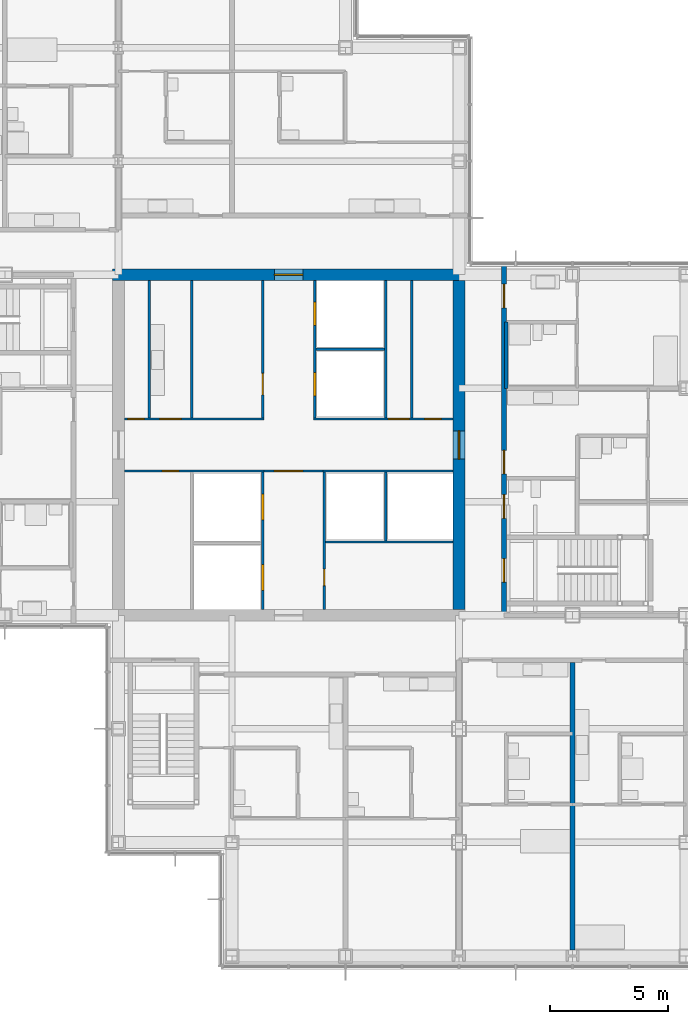
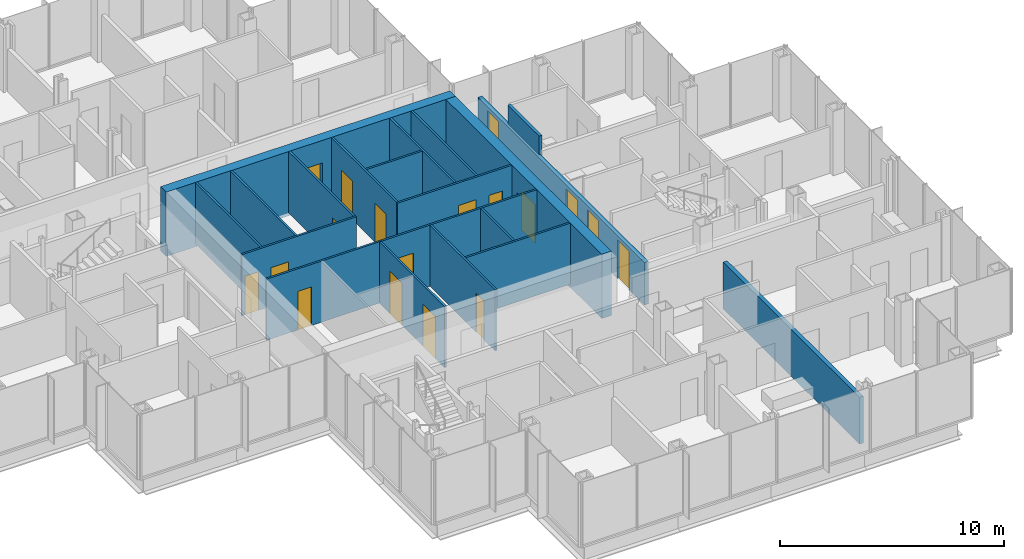
# One storey, part 14 of 19: 21 walls, 18 doors, 18 openings.
"""IFC4 building model written with IfcOpenShell, lengths in metres."""

from ifc_helpers import new_model, si_unit, direction, frame, frame_2d, origin, place, context, subcontext, project, spatial, rectangle, extrude, material, layer, layer_set, type_object, element, fill, save


model = new_model("IFC4")

# Units and contexts
model_context = context("Model", 3, precision=1e-05, world=origin(), true_north=direction((0.0, 1.0)))
body_context = subcontext(model_context, "Body", "Model", "MODEL_VIEW")
ifc_project = project(units=[si_unit("LENGTHUNIT", "METRE"), si_unit("AREAUNIT", "SQUARE_METRE"), si_unit("VOLUMEUNIT", "CUBIC_METRE"), si_unit("PLANEANGLEUNIT", "RADIAN"), si_unit("MASSUNIT", "GRAM", prefix="KILO")], contexts=[model_context])

# Site, building, storey
site_placement = place(None, origin())
site = spatial("IfcSite", under=ifc_project, at=site_placement, CompositionType="ELEMENT")
building_placement = place(site_placement, origin())
building = spatial("IfcBuilding", under=site, at=building_placement, Name="Kvirike Care Tower", CompositionType="ELEMENT")
storey_placement = place(building_placement, frame((0.0, 0.0, 108.5)))
storey = spatial("IfcBuildingStorey", under=building, at=storey_placement, Name="L29", CompositionType="ELEMENT", Elevation=108.5)

# Wall
ifc_material_1 = material(Name="Moisture-resistant board partition", Category="gypsum")
ifc_layer_1 = layer(ifc_material_1, 0.14990234375)
ifc_layer_set_1 = layer_set([ifc_layer_1], Name="BATHROOM WALL 150")
wall_type_1 = type_object("IfcWallType", Name="BATHROOM WALL 150", PredefinedType="PARTITIONING", material=ifc_layer_set_1)
wall_1_placement = place(storey_placement, frame((30.800048828125, 38.39990234375, 0.0), z_axis=(0.0, 0.0, 1.0), x_axis=(0.0, 1.0, 0.0)))
element("IfcWall", 1, at=wall_1_placement, inside=storey, type_object=wall_type_1, Name="Bathroom Wall 150 L29", PredefinedType="PARTITIONING", context=body_context, shape_type="SweptSolid", body=[
    extrude(rectangle(XDim=2.800048828125, YDim=0.14990234375, at=frame_2d((1.39990234375, 0.0))), origin(), (0.0, 0.0, 1.0), 3.330078125),
])

# Wall, opening, door
ifc_material_2 = material(Name="Concrete C50/60", Category="concrete")
ifc_layer_2 = layer(ifc_material_2, 0.5)
ifc_layer_set_2 = layer_set([ifc_layer_2], Name="CORE WALL 500 C50-60")
wall_type_2 = type_object("IfcWallType", Name="CORE WALL 500 C50-60", PredefinedType="SHEAR", material=ifc_layer_set_2)
wall_2_placement = place(storey_placement, frame((29.050048828125, 43.199951171875, -0.169921875), z_axis=(0.0, 0.0, 1.0), x_axis=(-1.0, 0.0, 0.0)))
wall_2 = element("IfcWall", 2, at=wall_2_placement, inside=storey, type_object=wall_type_2, Name="Core wall N L29", PredefinedType="SHEAR", context=body_context, shape_type="SweptSolid", body=[
    extrude(rectangle(XDim=14.900146484375, YDim=0.5, at=frame_2d((7.4501953125, 0.0))), origin(), (0.0, 0.0, 1.0), 3.5),
])
opening_1_placement = place(wall_2_placement, frame((6.85009765625, 0.0, 0.169921875)))
opening_1 = element("IfcOpeningElement", 3, at=opening_1_placement, cuts=wall_2, Name="Opening 29-065", PredefinedType="OPENING", context=body_context, shape_type="SweptSolid", body=[
    extrude(rectangle(XDim=1.199951171875, YDim=2.10009765625, at=frame_2d((0.60009765625, 1.050048828125))), frame((0.0, 0.260498046875, 0.0), z_axis=(0.0, -1.0, 0.0), x_axis=(1.0, 0.0, 0.0)), (0.0, 0.0, 1.0), 0.52099609375),
])
ifc_material_3 = material(Name="Timber door set", Category="wood")
door_type_1 = type_object("IfcDoorType", Name="CORE DOOR 1200", OperationType="SINGLE_SWING_LEFT", PredefinedType="DOOR", material=ifc_material_3)
door_1_placement = place(opening_1_placement, origin())
door_1 = element("IfcDoor", 4, at=door_1_placement, inside=storey, type_object=door_type_1, Name="Core door N L29", OperationType="SINGLE_SWING_LEFT", OverallHeight=2.10009765625, OverallWidth=1.199951171875, PredefinedType="DOOR", context=body_context, shape_type="SweptSolid", body=[
    extrude(rectangle(XDim=1.199951171875, YDim=2.10009765625, at=frame_2d((0.60009765625, 1.050048828125))), frame((0.0, 0.02685546875, 0.0), z_axis=(0.0, -1.0, 0.0), x_axis=(1.0, 0.0, 0.0)), (0.0, 0.0, 1.0), 0.053955078125),
])
fill(opening_1, door_1)

wall_3_placement = place(storey_placement, frame((28.800048828125, 29.050048828125, -0.169921875), z_axis=(0.0, 0.0, 1.0), x_axis=(0.0, 1.0, 0.0)))
wall_3 = element("IfcWall", 5, at=wall_3_placement, inside=storey, type_object=wall_type_2, Name="Core wall E L29", PredefinedType="SHEAR", context=body_context, shape_type="SweptSolid", body=[
    extrude(rectangle(XDim=13.89990234375, YDim=0.5, at=frame_2d((6.949951171875, 0.0))), origin(), (0.0, 0.0, 1.0), 3.5),
])
opening_2_placement = place(wall_3_placement, frame((6.35009765625, 0.0, 0.169921875)))
opening_2 = element("IfcOpeningElement", 6, at=opening_2_placement, cuts=wall_3, Name="Opening 29-064", PredefinedType="OPENING", context=body_context, shape_type="SweptSolid", body=[
    extrude(rectangle(XDim=1.199951171875, YDim=2.10009765625, at=frame_2d((0.60009765625, 1.050048828125))), frame((0.0, 0.260498046875, 0.0), z_axis=(0.0, -1.0, 0.0), x_axis=(1.0, 0.0, 0.0)), (0.0, 0.0, 1.0), 0.52099609375),
])
door_2_placement = place(opening_2_placement, origin())
door_2 = element("IfcDoor", 7, at=door_2_placement, inside=storey, type_object=door_type_1, Name="Core door E L29", OperationType="SINGLE_SWING_LEFT", OverallHeight=2.10009765625, OverallWidth=1.199951171875, PredefinedType="DOOR", context=body_context, shape_type="SweptSolid", body=[
    extrude(rectangle(XDim=1.199951171875, YDim=2.10009765625, at=frame_2d((0.60009765625, 1.050048828125))), frame((0.0, 0.02685546875, 0.0), z_axis=(0.0, -1.0, 0.0), x_axis=(1.0, 0.0, 0.0)), (0.0, 0.0, 1.0), 0.053955078125),
])
fill(opening_2, door_2)

# Wall, openings, doors
ifc_material_4 = material(Name="Plasterboard corridor wall", Category="gypsum")
ifc_layer_3 = layer(ifc_material_4, 0.199951171875)
ifc_layer_set_3 = layer_set([ifc_layer_3], Name="CORRIDOR WALL 200")
wall_type_3 = type_object("IfcWallType", Name="CORRIDOR WALL 200", PredefinedType="PARTITIONING", material=ifc_layer_set_3)
wall_4_placement = place(storey_placement, frame((30.699951171875, 28.800048828125, 0.0), z_axis=(0.0, 0.0, 1.0), x_axis=(0.0, 1.0, 0.0)))
wall_4 = element("IfcWall", 8, at=wall_4_placement, inside=storey, type_object=wall_type_3, Name="Corridor Wall 200 L29", PredefinedType="PARTITIONING", context=body_context, shape_type="SweptSolid", body=[
    extrude(rectangle(XDim=14.83984375, YDim=0.199951171875, at=frame_2d((7.419921875, 0.0))), origin(), (0.0, 0.0, 1.0), 2.320068359375),
])
opening_3_placement = place(wall_4_placement, frame((1.39990234375, 0.0, 0.0)))
opening_3 = element("IfcOpeningElement", 9, at=opening_3_placement, cuts=wall_4, Name="Opening 29-046", PredefinedType="OPENING", context=body_context, shape_type="SweptSolid", body=[
    extrude(rectangle(XDim=1.0, YDim=2.10009765625, at=frame_2d((0.5, 1.050048828125))), frame((0.0, 0.110595703125, 0.0), z_axis=(0.0, -1.0, 0.0), x_axis=(1.0, 0.0, 0.0)), (0.0, 0.0, 1.0), 0.220947265625),
])
opening_4_placement = place(wall_4_placement, frame((4.10009765625, 0.0, 0.0)))
opening_4 = element("IfcOpeningElement", 10, at=opening_4_placement, cuts=wall_4, Name="Opening 29-047", PredefinedType="OPENING", context=body_context, shape_type="SweptSolid", body=[
    extrude(rectangle(XDim=1.0, YDim=2.10009765625, at=frame_2d((0.5, 1.050048828125))), frame((0.0, 0.110595703125, 0.0), z_axis=(0.0, -1.0, 0.0), x_axis=(1.0, 0.0, 0.0)), (0.0, 0.0, 1.0), 0.220947265625),
])
opening_5_placement = place(wall_4_placement, frame((5.97509765625, 0.0, 0.0)))
opening_5 = element("IfcOpeningElement", 11, at=opening_5_placement, cuts=wall_4, Name="Opening 29-048", PredefinedType="OPENING", context=body_context, shape_type="SweptSolid", body=[
    extrude(rectangle(XDim=1.0, YDim=2.10009765625, at=frame_2d((0.5, 1.050048828125))), frame((0.0, 0.110595703125, 0.0), z_axis=(0.0, -1.0, 0.0), x_axis=(1.0, 0.0, 0.0)), (0.0, 0.0, 1.0), 0.220947265625),
])
opening_6_placement = place(wall_4_placement, frame((13.0, 0.0, 0.0)))
opening_6 = element("IfcOpeningElement", 12, at=opening_6_placement, cuts=wall_4, Name="Opening 29-049", PredefinedType="OPENING", context=body_context, shape_type="SweptSolid", body=[
    extrude(rectangle(XDim=1.0, YDim=2.10009765625, at=frame_2d((0.5, 1.050048828125))), frame((0.0, 0.110595703125, 0.0), z_axis=(0.0, -1.0, 0.0), x_axis=(1.0, 0.0, 0.0)), (0.0, 0.0, 1.0), 0.220947265625),
])
ifc_material_5 = material(Name="Timber door set", Category="wood")
door_type_2 = type_object("IfcDoorType", Name="FLAT ENTRANCE DOOR 1000", OperationType="SINGLE_SWING_LEFT", PredefinedType="DOOR", material=ifc_material_5)
door_3_placement = place(opening_5_placement, frame((1.0, 0.0, 0.0), z_axis=(0.0, 0.0, 1.0), x_axis=(-1.0, 0.0, 0.0)))
door_3 = element("IfcDoor", 13, at=door_3_placement, inside=storey, type_object=door_type_2, Name="Assisted living suite entrance", OperationType="SINGLE_SWING_LEFT", OverallHeight=2.10009765625, OverallWidth=1.0, PredefinedType="DOOR", context=body_context, shape_type="SweptSolid", body=[
    extrude(rectangle(XDim=1.0, YDim=2.10009765625, at=frame_2d((0.5, 1.050048828125))), frame((0.0, 0.02685546875, 0.0), z_axis=(0.0, -1.0, 0.0), x_axis=(1.0, 0.0, 0.0)), (0.0, 0.0, 1.0), 0.053955078125),
])
fill(opening_5, door_3)
door_4_placement = place(opening_6_placement, frame((1.0, 0.0, 0.0), z_axis=(0.0, 0.0, 1.0), x_axis=(-1.0, 0.0, 0.0)))
door_4 = element("IfcDoor", 14, at=door_4_placement, inside=storey, type_object=door_type_2, Name="Assisted living suite entrance", OperationType="SINGLE_SWING_RIGHT", OverallHeight=2.10009765625, OverallWidth=1.0, PredefinedType="DOOR", context=body_context, shape_type="SweptSolid", body=[
    extrude(rectangle(XDim=1.0, YDim=2.10009765625, at=frame_2d((0.5, 1.050048828125))), frame((0.0, 0.02685546875, 0.0), z_axis=(0.0, -1.0, 0.0), x_axis=(1.0, 0.0, 0.0)), (0.0, 0.0, 1.0), 0.053955078125),
])
fill(opening_6, door_4)
ifc_material_6 = material(Name="Timber door set", Category="wood")
door_type_3 = type_object("IfcDoorType", Name="STAIR DOOR 1000", OperationType="SINGLE_SWING_LEFT", PredefinedType="DOOR", material=ifc_material_6)
door_5_placement = place(opening_3_placement, frame((1.0, 0.0, 0.0), z_axis=(0.0, 0.0, 1.0), x_axis=(-1.0, 0.0, 0.0)))
door_5 = element("IfcDoor", 15, at=door_5_placement, inside=storey, type_object=door_type_3, Name="Stair 2 door", OperationType="SINGLE_SWING_LEFT", OverallHeight=2.10009765625, OverallWidth=1.0, PredefinedType="DOOR", context=body_context, shape_type="SweptSolid", body=[
    extrude(rectangle(XDim=1.0, YDim=2.10009765625, at=frame_2d((0.5, 1.050048828125))), frame((0.0, 0.031982421875, 0.0), z_axis=(0.0, -1.0, 0.0), x_axis=(1.0, 0.0, 0.0)), (0.0, 0.0, 1.0), 0.06396484375),
])
fill(opening_3, door_5)
ifc_material_7 = material(Name="Timber door set", Category="wood")
door_type_4 = type_object("IfcDoorType", Name="WC DOOR 1000", OperationType="SINGLE_SWING_LEFT", PredefinedType="DOOR", material=ifc_material_7)
door_6_placement = place(opening_4_placement, frame((1.0, 0.0, 0.0), z_axis=(0.0, 0.0, 1.0), x_axis=(-1.0, 0.0, 0.0)))
door_6 = element("IfcDoor", 16, at=door_6_placement, inside=storey, type_object=door_type_4, Name="Accessible WC door", OperationType="SINGLE_SWING_LEFT", OverallHeight=2.10009765625, OverallWidth=1.0, PredefinedType="DOOR", context=body_context, shape_type="SweptSolid", body=[
    extrude(rectangle(XDim=1.0, YDim=2.10009765625, at=frame_2d((0.5, 1.050048828125))), frame((0.0, 0.02685546875, 0.0), z_axis=(0.0, -1.0, 0.0), x_axis=(1.0, 0.0, 0.0)), (0.0, 0.0, 1.0), 0.053955078125),
])
fill(opening_4, door_6)

# Walls
ifc_material_8 = material(Name="Plasterboard party wall", Category="gypsum")
ifc_layer_4 = layer(ifc_material_8, 0.199951171875)
ifc_layer_set_4 = layer_set([ifc_layer_4], Name="PARTY WALL 200")
wall_type_4 = type_object("IfcWallType", Name="PARTY WALL 200", PredefinedType="PARTITIONING", material=ifc_layer_set_4)
wall_5_placement = place(storey_placement, frame((33.60009765625, 14.64697265625, 0.0), z_axis=(0.0, 0.0, 1.0), x_axis=(0.0, 1.0, 0.0)))
element("IfcWall", 17, at=wall_5_placement, inside=storey, type_object=wall_type_4, Name="Party Wall 200 L29", PredefinedType="PARTITIONING", context=body_context, shape_type="SweptSolid", body=[
    extrude(rectangle(XDim=12.153076171875, YDim=0.199951171875, at=frame_2d((6.07666015625, 0.0))), origin(), (0.0, 0.0, 1.0), 2.550048828125),
])
ifc_material_9 = material(Name="Gypsum shaft wall system", Category="gypsum")
ifc_layer_5 = layer(ifc_material_9, 0.10009765625)
ifc_layer_set_5 = layer_set([ifc_layer_5], Name="SHAFT WALL 100")
wall_type_5 = type_object("IfcWallType", Name="SHAFT WALL 100", PredefinedType="SOLIDWALL", material=ifc_layer_set_5)
for number, where, z_axis, x_axis, name in (
    (18, (15.699951171875, 37.14990234375, 0.0), (0.0, 0.0, 1.0), (0.0, 1.0, 0.0), "Shaft Wall 100 L29"),
    (19, (26.800048828125, 37.14990234375, 0.0), (0.0, 0.0, 1.0), (0.0, 1.0, 0.0), "Shaft Wall 100 L29"),
):
    element("IfcWall", number, at=place(storey_placement, frame(where, z_axis=z_axis, x_axis=x_axis)), inside=storey, type_object=wall_type_5, Name=name, PredefinedType="SOLIDWALL", context=body_context, shape_type="SweptSolid", body=[
        extrude(rectangle(XDim=5.800048828125, YDim=0.10009765625, at=frame_2d((2.89990234375, 0.0))), origin(), (0.0, 0.0, 1.0), 3.330078125),
    ])

# Wall, openings, doors
wall_6_placement = place(storey_placement, frame((20.5, 29.050048828125, 0.0), z_axis=(0.0, 0.0, 1.0), x_axis=(0.0, 1.0, 0.0)))
wall_6 = element("IfcWall", 20, at=wall_6_placement, inside=storey, type_object=wall_type_5, Name="Shaft Wall 100 L29", PredefinedType="SOLIDWALL", context=body_context, shape_type="SweptSolid", body=[
    extrude(rectangle(XDim=5.800048828125, YDim=0.10009765625, at=frame_2d((2.89990234375, 0.0))), origin(), (0.0, 0.0, 1.0), 3.330078125),
])
opening_7_placement = place(wall_6_placement, frame((0.800048828125, 0.0, 0.0)))
opening_7 = element("IfcOpeningElement", 21, at=opening_7_placement, cuts=wall_6, Name="Opening 29-050", PredefinedType="OPENING", context=body_context, shape_type="SweptSolid", body=[
    extrude(rectangle(XDim=1.10009765625, YDim=2.300048828125, at=frame_2d((0.550048828125, 1.14990234375))), frame((0.0, 0.060546875, 0.0), z_axis=(0.0, -1.0, 0.0), x_axis=(1.0, 0.0, 0.0)), (0.0, 0.0, 1.0), 0.12109375),
])
opening_8_placement = place(wall_6_placement, frame((3.77490234375, 0.0, 0.0)))
opening_8 = element("IfcOpeningElement", 22, at=opening_8_placement, cuts=wall_6, Name="Opening 29-051", PredefinedType="OPENING", context=body_context, shape_type="SweptSolid", body=[
    extrude(rectangle(XDim=1.10009765625, YDim=2.300048828125, at=frame_2d((0.550048828125, 1.14990234375))), frame((0.0, 0.060546875, 0.0), z_axis=(0.0, -1.0, 0.0), x_axis=(1.0, 0.0, 0.0)), (0.0, 0.0, 1.0), 0.12109375),
])
ifc_material_10 = material(Name="Aluminium door frame", Category="aluminium")
door_type_5 = type_object("IfcDoorType", Name="FIRE-FIGHTING LIFT LANDING DOOR 1100", OperationType="SLIDING_TO_LEFT", PredefinedType="DOOR", material=ifc_material_10)
door_7_placement = place(opening_7_placement, origin())
door_7 = element("IfcDoor", 23, at=door_7_placement, inside=storey, type_object=door_type_5, Name="Lift FF1 landing door", OperationType="SLIDING_TO_LEFT", OverallHeight=2.300048828125, OverallWidth=1.10009765625, PredefinedType="DOOR", context=body_context, shape_type="SweptSolid", body=[
    extrude(rectangle(XDim=1.10009765625, YDim=2.300048828125, at=frame_2d((0.550048828125, 1.14990234375))), frame((0.0, 0.0498046875, 0.0), z_axis=(0.0, -1.0, 0.0), x_axis=(1.0, 0.0, 0.0)), (0.0, 0.0, 1.0), 0.099609375),
])
fill(opening_7, door_7)
door_8_placement = place(opening_8_placement, origin())
door_8 = element("IfcDoor", 24, at=door_8_placement, inside=storey, type_object=door_type_5, Name="Lift FF2 landing door", OperationType="SLIDING_TO_LEFT", OverallHeight=2.300048828125, OverallWidth=1.10009765625, PredefinedType="DOOR", context=body_context, shape_type="SweptSolid", body=[
    extrude(rectangle(XDim=1.10009765625, YDim=2.300048828125, at=frame_2d((0.550048828125, 1.14990234375))), frame((0.0, 0.0498046875, 0.0), z_axis=(0.0, -1.0, 0.0), x_axis=(1.0, 0.0, 0.0)), (0.0, 0.0, 1.0), 0.099609375),
])
fill(opening_8, door_8)

# Wall, opening, door
wall_7_placement = place(storey_placement, frame((20.5, 37.14990234375, 0.0), z_axis=(0.0, 0.0, 1.0), x_axis=(0.0, 1.0, 0.0)))
wall_7 = element("IfcWall", 25, at=wall_7_placement, inside=storey, type_object=wall_type_5, Name="Shaft Wall 100 L29", PredefinedType="SOLIDWALL", context=body_context, shape_type="SweptSolid", body=[
    extrude(rectangle(XDim=5.800048828125, YDim=0.10009765625, at=frame_2d((2.89990234375, 0.0))), origin(), (0.0, 0.0, 1.0), 3.330078125),
])
opening_9_placement = place(wall_7_placement, frame((0.97509765625, 0.0, 0.0)))
opening_9 = element("IfcOpeningElement", 26, at=opening_9_placement, cuts=wall_7, Name="Opening 29-052", PredefinedType="OPENING", context=body_context, shape_type="SweptSolid", body=[
    extrude(rectangle(XDim=0.89990234375, YDim=2.10009765625, at=frame_2d((0.449951171875, 1.050048828125))), frame((0.0, 0.060546875, 0.0), z_axis=(0.0, -1.0, 0.0), x_axis=(1.0, 0.0, 0.0)), (0.0, 0.0, 1.0), 0.12109375),
])
ifc_material_11 = material(Name="Timber door set", Category="wood")
door_type_6 = type_object("IfcDoorType", Name="STORE DOOR 900", OperationType="SINGLE_SWING_LEFT", PredefinedType="DOOR", material=ifc_material_11)
door_9_placement = place(opening_9_placement, origin())
door_9 = element("IfcDoor", 27, at=door_9_placement, inside=storey, type_object=door_type_6, Name="Records store door", OperationType="SINGLE_SWING_RIGHT", OverallHeight=2.10009765625, OverallWidth=0.89990234375, PredefinedType="DOOR", context=body_context, shape_type="SweptSolid", body=[
    extrude(rectangle(XDim=0.89990234375, YDim=2.10009765625, at=frame_2d((0.449951171875, 1.050048828125))), frame((0.0, 0.02685546875, 0.0), z_axis=(0.0, -1.0, 0.0), x_axis=(1.0, 0.0, 0.0)), (0.0, 0.0, 1.0), 0.053955078125),
])
fill(opening_9, door_9)

# Wall, openings, doors
wall_8_placement = place(storey_placement, frame((22.699951171875, 37.14990234375, 0.0), z_axis=(0.0, 0.0, 1.0), x_axis=(0.0, 1.0, 0.0)))
wall_8 = element("IfcWall", 28, at=wall_8_placement, inside=storey, type_object=wall_type_5, Name="Shaft Wall 100 L29", PredefinedType="SOLIDWALL", context=body_context, shape_type="SweptSolid", body=[
    extrude(rectangle(XDim=5.800048828125, YDim=0.10009765625, at=frame_2d((2.89990234375, 0.0))), origin(), (0.0, 0.0, 1.0), 3.330078125),
])
opening_10_placement = place(wall_8_placement, frame((0.925048828125, 0.0, 0.0)))
opening_10 = element("IfcOpeningElement", 29, at=opening_10_placement, cuts=wall_8, Name="Opening 29-053", PredefinedType="OPENING", context=body_context, shape_type="SweptSolid", body=[
    extrude(rectangle(XDim=1.0, YDim=2.10009765625, at=frame_2d((0.5, 1.050048828125))), frame((0.0, 0.060546875, 0.0), z_axis=(0.0, -1.0, 0.0), x_axis=(1.0, 0.0, 0.0)), (0.0, 0.0, 1.0), 0.12109375),
])
opening_11_placement = place(wall_8_placement, frame((3.89990234375, 0.0, 0.0)))
opening_11 = element("IfcOpeningElement", 30, at=opening_11_placement, cuts=wall_8, Name="Opening 29-054", PredefinedType="OPENING", context=body_context, shape_type="SweptSolid", body=[
    extrude(rectangle(XDim=1.0, YDim=2.10009765625, at=frame_2d((0.5, 1.050048828125))), frame((0.0, 0.060546875, 0.0), z_axis=(0.0, -1.0, 0.0), x_axis=(1.0, 0.0, 0.0)), (0.0, 0.0, 1.0), 0.12109375),
])
ifc_material_12 = material(Name="Aluminium door frame", Category="aluminium")
door_type_7 = type_object("IfcDoorType", Name="LIFT LANDING DOOR 1000", OperationType="SLIDING_TO_LEFT", PredefinedType="DOOR", material=ifc_material_12)
door_10_placement = place(opening_10_placement, origin())
door_10 = element("IfcDoor", 31, at=door_10_placement, inside=storey, type_object=door_type_7, Name="Lift P3 landing door", OperationType="SLIDING_TO_LEFT", OverallHeight=2.10009765625, OverallWidth=1.0, PredefinedType="DOOR", context=body_context, shape_type="SweptSolid", body=[
    extrude(rectangle(XDim=1.0, YDim=2.10009765625, at=frame_2d((0.5, 1.050048828125))), frame((0.0, 0.0498046875, 0.0), z_axis=(0.0, -1.0, 0.0), x_axis=(1.0, 0.0, 0.0)), (0.0, 0.0, 1.0), 0.099609375),
])
fill(opening_10, door_10)
door_11_placement = place(opening_11_placement, origin())
door_11 = element("IfcDoor", 32, at=door_11_placement, inside=storey, type_object=door_type_7, Name="Lift P4 landing door", OperationType="SLIDING_TO_LEFT", OverallHeight=2.10009765625, OverallWidth=1.0, PredefinedType="DOOR", context=body_context, shape_type="SweptSolid", body=[
    extrude(rectangle(XDim=1.0, YDim=2.10009765625, at=frame_2d((0.5, 1.050048828125))), frame((0.0, 0.0498046875, 0.0), z_axis=(0.0, -1.0, 0.0), x_axis=(1.0, 0.0, 0.0)), (0.0, 0.0, 1.0), 0.099609375),
])
fill(opening_11, door_11)

# Wall, opening, door
wall_9_placement = place(storey_placement, frame((23.10009765625, 29.050048828125, 0.0), z_axis=(0.0, 0.0, 1.0), x_axis=(0.0, 1.0, 0.0)))
wall_9 = element("IfcWall", 33, at=wall_9_placement, inside=storey, type_object=wall_type_5, Name="Shaft Wall 100 L29", PredefinedType="SOLIDWALL", context=body_context, shape_type="SweptSolid", body=[
    extrude(rectangle(XDim=5.800048828125, YDim=0.10009765625, at=frame_2d((2.89990234375, 0.0))), origin(), (0.0, 0.0, 1.0), 3.330078125),
])
opening_12_placement = place(wall_9_placement, frame((1.0, 0.0, 0.0)))
opening_12 = element("IfcOpeningElement", 34, at=opening_12_placement, cuts=wall_9, Name="Opening 29-055", PredefinedType="OPENING", context=body_context, shape_type="SweptSolid", body=[
    extrude(rectangle(XDim=0.699951171875, YDim=2.10009765625, at=frame_2d((0.35009765625, 1.050048828125))), frame((0.0, 0.060546875, 0.0), z_axis=(0.0, -1.0, 0.0), x_axis=(1.0, 0.0, 0.0)), (0.0, 0.0, 1.0), 0.12109375),
])
ifc_material_13 = material(Name="Timber door set", Category="wood")
door_type_8 = type_object("IfcDoorType", Name="RISER DOOR 700", OperationType="SINGLE_SWING_LEFT", PredefinedType="DOOR", material=ifc_material_13)
door_12_placement = place(opening_12_placement, origin())
door_12 = element("IfcDoor", 35, at=door_12_placement, inside=storey, type_object=door_type_8, Name="Riser door", OperationType="SINGLE_SWING_RIGHT", OverallHeight=2.10009765625, OverallWidth=0.699951171875, PredefinedType="DOOR", context=body_context, shape_type="SweptSolid", body=[
    extrude(rectangle(XDim=0.699951171875, YDim=2.10009765625, at=frame_2d((0.35009765625, 1.050048828125))), frame((0.0, 0.02685546875, 0.0), z_axis=(0.0, -1.0, 0.0), x_axis=(1.0, 0.0, 0.0)), (0.0, 0.0, 1.0), 0.053955078125),
])
fill(opening_12, door_12)

wall_10_placement = place(storey_placement, frame((14.64990234375, 34.89990234375, 0.0), z_axis=(0.0, 0.0, 1.0), x_axis=(1.0, 0.0, 0.0)))
wall_10 = element("IfcWall", 36, at=wall_10_placement, inside=storey, type_object=wall_type_5, Name="Shaft Wall 100 L29", PredefinedType="SOLIDWALL", context=body_context, shape_type="SweptSolid", body=[
    extrude(rectangle(XDim=5.900146484375, YDim=0.10009765625, at=frame_2d((2.9501953125, 0.0))), origin(), (0.0, 0.0, 1.0), 3.330078125),
])
opening_13_placement = place(wall_10_placement, frame((1.60009765625, 0.0, 0.0)))
opening_13 = element("IfcOpeningElement", 37, at=opening_13_placement, cuts=wall_10, Name="Opening 29-056", PredefinedType="OPENING", context=body_context, shape_type="SweptSolid", body=[
    extrude(rectangle(XDim=0.699951171875, YDim=2.10009765625, at=frame_2d((0.35009765625, 1.050048828125))), frame((0.0, 0.060546875, 0.0), z_axis=(0.0, -1.0, 0.0), x_axis=(1.0, 0.0, 0.0)), (0.0, 0.0, 1.0), 0.12109375),
])
door_13_placement = place(opening_13_placement, frame((0.699951171875, 0.0, 0.0), z_axis=(0.0, 0.0, 1.0), x_axis=(-1.0, 0.0, 0.0)))
door_13 = element("IfcDoor", 38, at=door_13_placement, inside=storey, type_object=door_type_8, Name="Riser door", OperationType="SINGLE_SWING_RIGHT", OverallHeight=2.10009765625, OverallWidth=0.699951171875, PredefinedType="DOOR", context=body_context, shape_type="SweptSolid", body=[
    extrude(rectangle(XDim=0.699951171875, YDim=2.10009765625, at=frame_2d((0.35009765625, 1.050048828125))), frame((0.0, 0.02685546875, 0.0), z_axis=(0.0, -1.0, 0.0), x_axis=(1.0, 0.0, 0.0)), (0.0, 0.0, 1.0), 0.053955078125),
])
fill(opening_13, door_13)

# Wall
wall_11_placement = place(storey_placement, frame((23.050048828125, 34.89990234375, 0.0), z_axis=(0.0, 0.0, 1.0), x_axis=(1.0, 0.0, 0.0)))
element("IfcWall", 39, at=wall_11_placement, inside=storey, type_object=wall_type_5, Name="Shaft Wall 100 L29", PredefinedType="SOLIDWALL", context=body_context, shape_type="SweptSolid", body=[
    extrude(rectangle(XDim=5.5, YDim=0.10009765625, at=frame_2d((2.75, 0.0))), origin(), (0.0, 0.0, 1.0), 3.330078125),
])

# Wall, openings, doors
wall_12_placement = place(storey_placement, frame((14.64990234375, 37.10009765625, 0.0), z_axis=(0.0, 0.0, 1.0), x_axis=(1.0, 0.0, 0.0)))
wall_12 = element("IfcWall", 40, at=wall_12_placement, inside=storey, type_object=wall_type_5, Name="Shaft Wall 100 L29", PredefinedType="SOLIDWALL", context=body_context, shape_type="SweptSolid", body=[
    extrude(rectangle(XDim=5.900146484375, YDim=0.10009765625, at=frame_2d((2.9501953125, 0.0))), origin(), (0.0, 0.0, 1.0), 3.330078125),
])
opening_14_placement = place(wall_12_placement, frame((0.14990234375, 0.0, 0.0)))
opening_14 = element("IfcOpeningElement", 41, at=opening_14_placement, cuts=wall_12, Name="Opening 29-057", PredefinedType="OPENING", context=body_context, shape_type="SweptSolid", body=[
    extrude(rectangle(XDim=0.699951171875, YDim=2.10009765625, at=frame_2d((0.35009765625, 1.050048828125))), frame((0.0, 0.060546875, 0.0), z_axis=(0.0, -1.0, 0.0), x_axis=(1.0, 0.0, 0.0)), (0.0, 0.0, 1.0), 0.12109375),
])
opening_15_placement = place(wall_12_placement, frame((1.5, 0.0, 0.0)))
opening_15 = element("IfcOpeningElement", 42, at=opening_15_placement, cuts=wall_12, Name="Opening 29-058", PredefinedType="OPENING", context=body_context, shape_type="SweptSolid", body=[
    extrude(rectangle(XDim=0.89990234375, YDim=2.10009765625, at=frame_2d((0.449951171875, 1.050048828125))), frame((0.0, 0.060546875, 0.0), z_axis=(0.0, -1.0, 0.0), x_axis=(1.0, 0.0, 0.0)), (0.0, 0.0, 1.0), 0.12109375),
])
door_14_placement = place(opening_14_placement, origin())
door_14 = element("IfcDoor", 43, at=door_14_placement, inside=storey, type_object=door_type_8, Name="Riser door", OperationType="SINGLE_SWING_RIGHT", OverallHeight=2.10009765625, OverallWidth=0.699951171875, PredefinedType="DOOR", context=body_context, shape_type="SweptSolid", body=[
    extrude(rectangle(XDim=0.699951171875, YDim=2.10009765625, at=frame_2d((0.35009765625, 1.050048828125))), frame((0.0, 0.02685546875, 0.0), z_axis=(0.0, -1.0, 0.0), x_axis=(1.0, 0.0, 0.0)), (0.0, 0.0, 1.0), 0.053955078125),
])
fill(opening_14, door_14)
door_15_placement = place(opening_15_placement, origin())
door_15 = element("IfcDoor", 44, at=door_15_placement, inside=storey, type_object=door_type_6, Name="Resident pantry door", OperationType="SINGLE_SWING_LEFT", OverallHeight=2.10009765625, OverallWidth=0.89990234375, PredefinedType="DOOR", context=body_context, shape_type="SweptSolid", body=[
    extrude(rectangle(XDim=0.89990234375, YDim=2.10009765625, at=frame_2d((0.449951171875, 1.050048828125))), frame((0.0, 0.02685546875, 0.0), z_axis=(0.0, -1.0, 0.0), x_axis=(1.0, 0.0, 0.0)), (0.0, 0.0, 1.0), 0.053955078125),
])
fill(opening_15, door_15)

wall_13_placement = place(storey_placement, frame((22.64990234375, 37.10009765625, 0.0), z_axis=(0.0, 0.0, 1.0), x_axis=(1.0, 0.0, 0.0)))
wall_13 = element("IfcWall", 45, at=wall_13_placement, inside=storey, type_object=wall_type_5, Name="Shaft Wall 100 L29", PredefinedType="SOLIDWALL", context=body_context, shape_type="SweptSolid", body=[
    extrude(rectangle(XDim=5.900146484375, YDim=0.10009765625, at=frame_2d((2.9501953125, 0.0))), origin(), (0.0, 0.0, 1.0), 3.330078125),
])
opening_16_placement = place(wall_13_placement, frame((3.14990234375, 0.0, 0.0)))
opening_16 = element("IfcOpeningElement", 46, at=opening_16_placement, cuts=wall_13, Name="Opening 29-059", PredefinedType="OPENING", context=body_context, shape_type="SweptSolid", body=[
    extrude(rectangle(XDim=0.89990234375, YDim=2.10009765625, at=frame_2d((0.449951171875, 1.050048828125))), frame((0.0, 0.060546875, 0.0), z_axis=(0.0, -1.0, 0.0), x_axis=(1.0, 0.0, 0.0)), (0.0, 0.0, 1.0), 0.12109375),
])
opening_17_placement = place(wall_13_placement, frame((4.699951171875, 0.0, 0.0)))
opening_17 = element("IfcOpeningElement", 47, at=opening_17_placement, cuts=wall_13, Name="Opening 29-060", PredefinedType="OPENING", context=body_context, shape_type="SweptSolid", body=[
    extrude(rectangle(XDim=0.699951171875, YDim=2.10009765625, at=frame_2d((0.35009765625, 1.050048828125))), frame((0.0, 0.060546875, 0.0), z_axis=(0.0, -1.0, 0.0), x_axis=(1.0, 0.0, 0.0)), (0.0, 0.0, 1.0), 0.12109375),
])
door_16_placement = place(opening_17_placement, origin())
door_16 = element("IfcDoor", 48, at=door_16_placement, inside=storey, type_object=door_type_8, Name="Riser door", OperationType="SINGLE_SWING_LEFT", OverallHeight=2.10009765625, OverallWidth=0.699951171875, PredefinedType="DOOR", context=body_context, shape_type="SweptSolid", body=[
    extrude(rectangle(XDim=0.699951171875, YDim=2.10009765625, at=frame_2d((0.35009765625, 1.050048828125))), frame((0.0, 0.02685546875, 0.0), z_axis=(0.0, -1.0, 0.0), x_axis=(1.0, 0.0, 0.0)), (0.0, 0.0, 1.0), 0.053955078125),
])
fill(opening_17, door_16)
door_17_placement = place(opening_16_placement, origin())
door_17 = element("IfcDoor", 49, at=door_17_placement, inside=storey, type_object=door_type_6, Name="Cleaners store door", OperationType="SINGLE_SWING_LEFT", OverallHeight=2.10009765625, OverallWidth=0.89990234375, PredefinedType="DOOR", context=body_context, shape_type="SweptSolid", body=[
    extrude(rectangle(XDim=0.89990234375, YDim=2.10009765625, at=frame_2d((0.449951171875, 1.050048828125))), frame((0.0, 0.02685546875, 0.0), z_axis=(0.0, -1.0, 0.0), x_axis=(1.0, 0.0, 0.0)), (0.0, 0.0, 1.0), 0.053955078125),
])
fill(opening_16, door_17)

# Wall, opening, door
wall_14_placement = place(storey_placement, frame((20.550048828125, 34.89990234375, 0.0), z_axis=(0.0, 0.0, 1.0), x_axis=(1.0, 0.0, 0.0)))
wall_14 = element("IfcWall", 50, at=wall_14_placement, inside=storey, type_object=wall_type_5, Name="Shaft Wall 100 L29", PredefinedType="SOLIDWALL", context=body_context, shape_type="SweptSolid", body=[
    extrude(rectangle(XDim=2.5, YDim=0.10009765625, at=frame_2d((1.25, 0.0))), origin(), (0.0, 0.0, 1.0), 3.330078125),
])
opening_18_placement = place(wall_14_placement, frame((0.449951171875, 0.0, 0.0)))
opening_18 = element("IfcOpeningElement", 51, at=opening_18_placement, cuts=wall_14, Name="Opening 29-061", PredefinedType="OPENING", context=body_context, shape_type="SweptSolid", body=[
    extrude(rectangle(XDim=1.199951171875, YDim=2.10009765625, at=frame_2d((0.60009765625, 1.050048828125))), frame((0.0, 0.060546875, 0.0), z_axis=(0.0, -1.0, 0.0), x_axis=(1.0, 0.0, 0.0)), (0.0, 0.0, 1.0), 0.12109375),
])
door_18_placement = place(opening_18_placement, frame((1.199951171875, 0.0, 0.0), z_axis=(0.0, 0.0, 1.0), x_axis=(-1.0, 0.0, 0.0)))
door_18 = element("IfcDoor", 52, at=door_18_placement, inside=storey, type_object=door_type_1, Name="Fire-fighting lobby door", OperationType="SINGLE_SWING_LEFT", OverallHeight=2.10009765625, OverallWidth=1.199951171875, PredefinedType="DOOR", context=body_context, shape_type="SweptSolid", body=[
    extrude(rectangle(XDim=1.199951171875, YDim=2.10009765625, at=frame_2d((0.60009765625, 1.050048828125))), frame((0.0, 0.02685546875, 0.0), z_axis=(0.0, -1.0, 0.0), x_axis=(1.0, 0.0, 0.0)), (0.0, 0.0, 1.0), 0.053955078125),
])
fill(opening_18, door_18)

# Walls
wall_15_placement = place(storey_placement, frame((17.5, 37.14990234375, 0.0), z_axis=(0.0, 0.0, 1.0), x_axis=(0.0, 1.0, 0.0)))
element("IfcWall", 53, at=wall_15_placement, inside=storey, type_object=wall_type_5, Name="Shaft Wall 100 L29", PredefinedType="SOLIDWALL", context=body_context, shape_type="SweptSolid", body=[
    extrude(rectangle(XDim=5.800048828125, YDim=0.10009765625, at=frame_2d((2.89990234375, 0.0))), origin(), (0.0, 0.0, 1.0), 3.330078125),
])
wall_16_placement = place(storey_placement, frame((22.75, 40.050048828125, 0.0), z_axis=(0.0, 0.0, 1.0), x_axis=(1.0, 0.0, 0.0)))
element("IfcWall", 54, at=wall_16_placement, inside=storey, type_object=wall_type_5, Name="Shaft Wall 100 L29", PredefinedType="SOLIDWALL", context=body_context, shape_type="SweptSolid", body=[
    extrude(rectangle(XDim=2.89990234375, YDim=0.10009765625, at=frame_2d((1.449951171875, 0.0))), origin(), (0.0, 0.0, 1.0), 3.330078125),
])
wall_17_placement = place(storey_placement, frame((25.699951171875, 37.14990234375, 0.0), z_axis=(0.0, 0.0, 1.0), x_axis=(0.0, 1.0, 0.0)))
element("IfcWall", 55, at=wall_17_placement, inside=storey, type_object=wall_type_5, Name="Shaft Wall 100 L29", PredefinedType="SOLIDWALL", context=body_context, shape_type="SweptSolid", body=[
    extrude(rectangle(XDim=5.800048828125, YDim=0.10009765625, at=frame_2d((2.89990234375, 0.0))), origin(), (0.0, 0.0, 1.0), 3.330078125),
])
wall_18_placement = place(storey_placement, frame((25.699951171875, 31.949951171875, 0.0), z_axis=(0.0, 0.0, 1.0), x_axis=(0.0, 1.0, 0.0)))
element("IfcWall", 56, at=wall_18_placement, inside=storey, type_object=wall_type_5, Name="Shaft Wall 100 L29", PredefinedType="SOLIDWALL", context=body_context, shape_type="SweptSolid", body=[
    extrude(rectangle(XDim=2.900146484375, YDim=0.10009765625, at=frame_2d((1.4501953125, 0.0))), origin(), (0.0, 0.0, 1.0), 3.330078125),
])
wall_19_placement = place(storey_placement, frame((23.14990234375, 31.89990234375, 0.0), z_axis=(0.0, 0.0, 1.0), x_axis=(1.0, 0.0, 0.0)))
element("IfcWall", 57, at=wall_19_placement, inside=storey, type_object=wall_type_5, Name="Shaft Wall 100 L29", PredefinedType="SOLIDWALL", context=body_context, shape_type="SweptSolid", body=[
    extrude(rectangle(XDim=5.400146484375, YDim=0.10009765625, at=frame_2d((2.7001953125, 0.0))), origin(), (0.0, 0.0, 1.0), 3.330078125),
])

save(model, "model.ifc")
